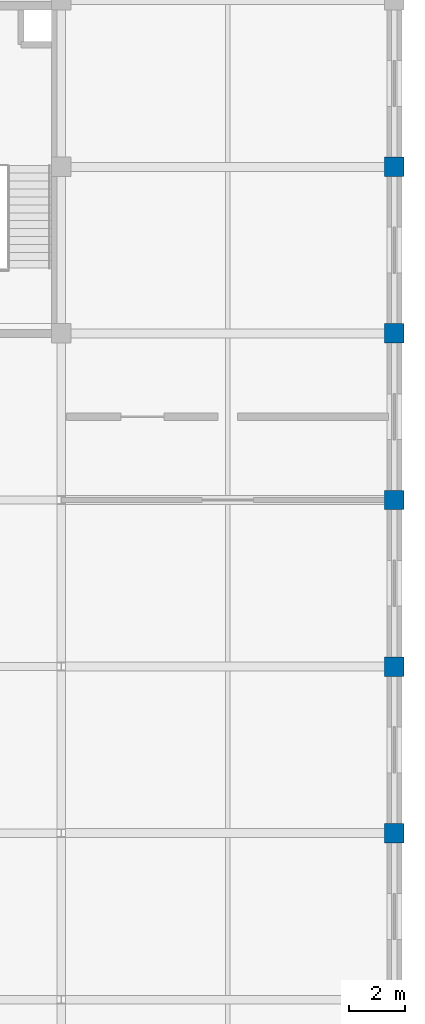
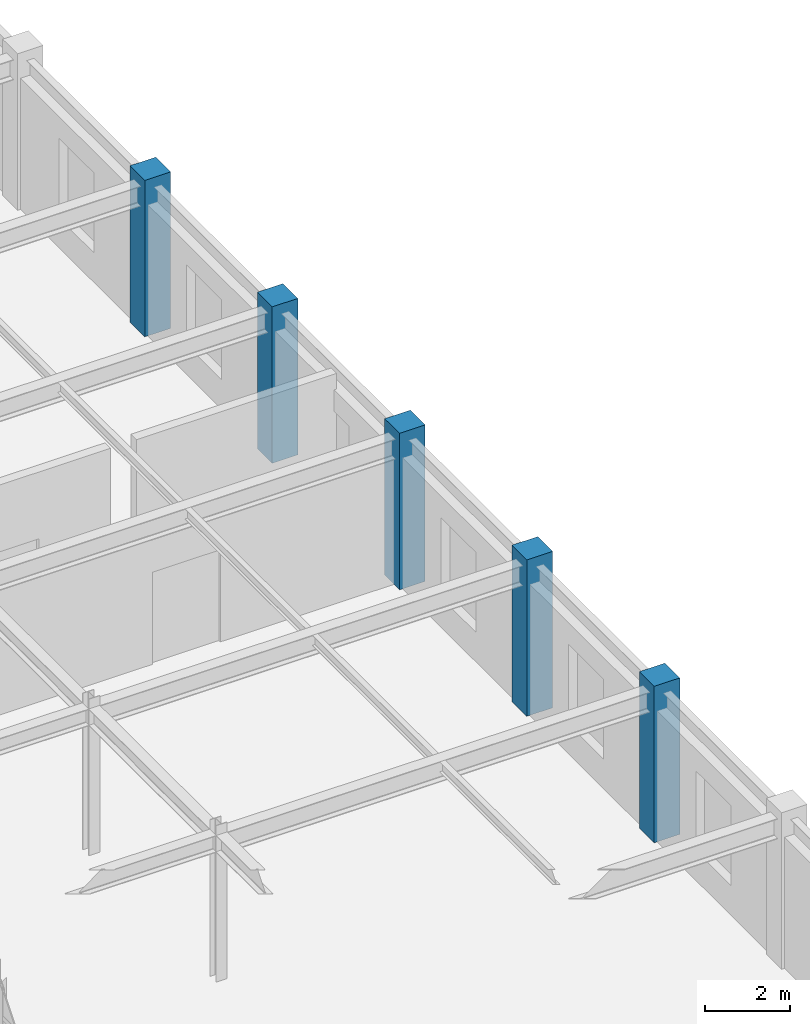
# One storey, part 22 of 108: 5 columns.
"""IFC4 building model written with IfcOpenShell, lengths in metres."""

from ifc_helpers import new_model, si_unit, direction, frame, origin, origin_2d, place, context, subcontext, project, spatial, rectangle, extrude, material, material_profile, profile_set, type_object, element, save


model = new_model("IFC4")

# Units and contexts
model_context = context("Model", 3, precision=1e-05, world=origin(), true_north=direction((0.0, 1.0)))
body_context = subcontext(model_context, "Body", "Model", "MODEL_VIEW")
ifc_project = project(units=[si_unit("LENGTHUNIT", "METRE"), si_unit("AREAUNIT", "SQUARE_METRE"), si_unit("VOLUMEUNIT", "CUBIC_METRE"), si_unit("PLANEANGLEUNIT", "RADIAN"), si_unit("MASSUNIT", "GRAM", prefix="KILO")], contexts=[model_context])

# Site, building, storey
site_placement = place(None, origin())
site = spatial("IfcSite", under=ifc_project, at=site_placement, CompositionType="ELEMENT")
building_placement = place(site_placement, origin())
building = spatial("IfcBuilding", under=site, at=building_placement, Name="Zlatovratsky Civic Hall", CompositionType="ELEMENT")
storey_placement = place(building_placement, frame((0.0, 0.0, 12.0)))
storey = spatial("IfcBuildingStorey", under=building, at=storey_placement, Name="L03", CompositionType="ELEMENT", Elevation=12.0)

# Columns
ifc_material = material(Name="Concrete C35/45 (B40)", Category="concrete")
ifc_material_profile = material_profile(ifc_material, rectangle(XDim=0.699951171875, YDim=0.699951171875, at=origin_2d()), Name="RC 700x700")
ifc_profile_set = profile_set([ifc_material_profile], Name="Concrete C35/45 (B40)")
column_type = type_object("IfcColumnType", Name="Col_CorePier_RC700", PredefinedType="COLUMN", material=ifc_profile_set)
for number, where, z_axis, x_axis, name in (
    (1, (168.0, 66.0, 0.0), (0.0, 0.0, 1.0), (1.0, 0.0, 0.0), "CL-1366"),
    (2, (168.0, 72.0, 0.0), (0.0, 0.0, 1.0), (1.0, 0.0, 0.0), "CL-1389"),
    (3, (168.0, 78.0, 0.0), (0.0, 0.0, 1.0), (1.0, 0.0, 0.0), "CL-1412"),
    (4, (168.0, 84.0, 0.0), (0.0, 0.0, 1.0), (1.0, 0.0, 0.0), "CL-1435"),
    (5, (168.0, 90.0, 0.0), (0.0, 0.0, 1.0), (1.0, 0.0, 0.0), "CL-1458"),
):
    element("IfcColumn", number, at=place(storey_placement, frame(where, z_axis=z_axis, x_axis=x_axis)), inside=storey, type_object=column_type, Name=name, PredefinedType="COLUMN", context=body_context, shape_type="SweptSolid", body=[
        extrude(rectangle(XDim=0.699951171875, YDim=0.699951171875, at=origin_2d()), origin(), (0.0, 0.0, 1.0), 4.5),
    ])

save(model, "model.ifc")
